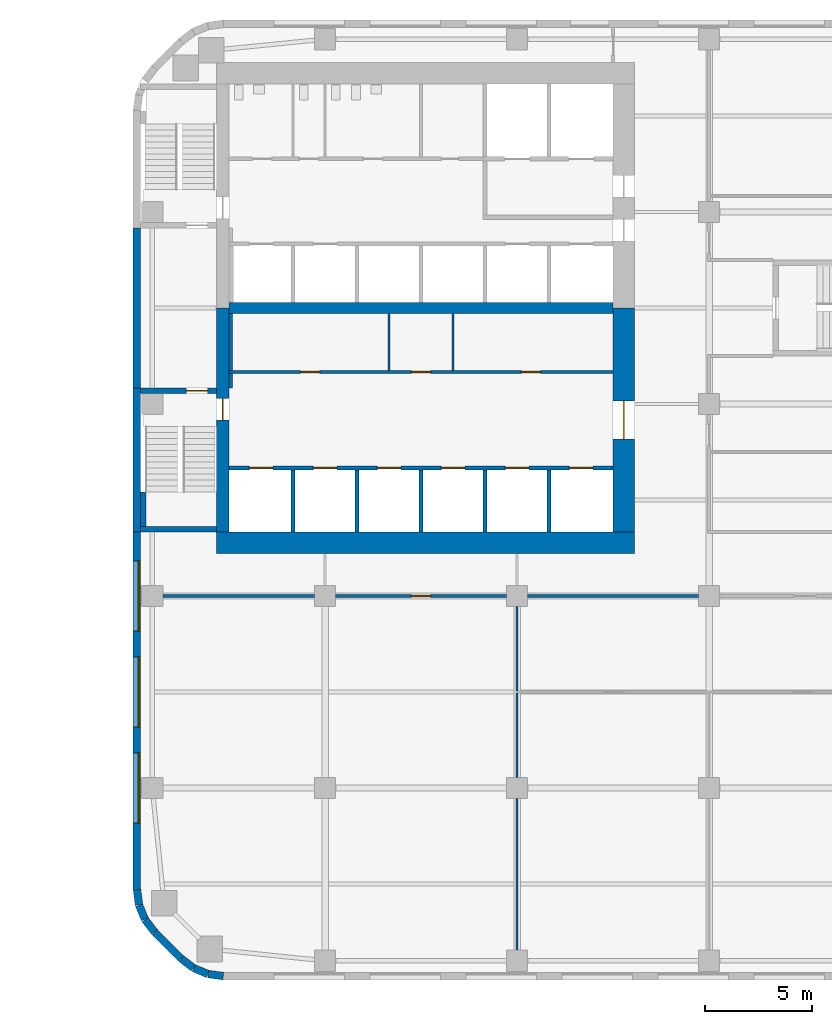
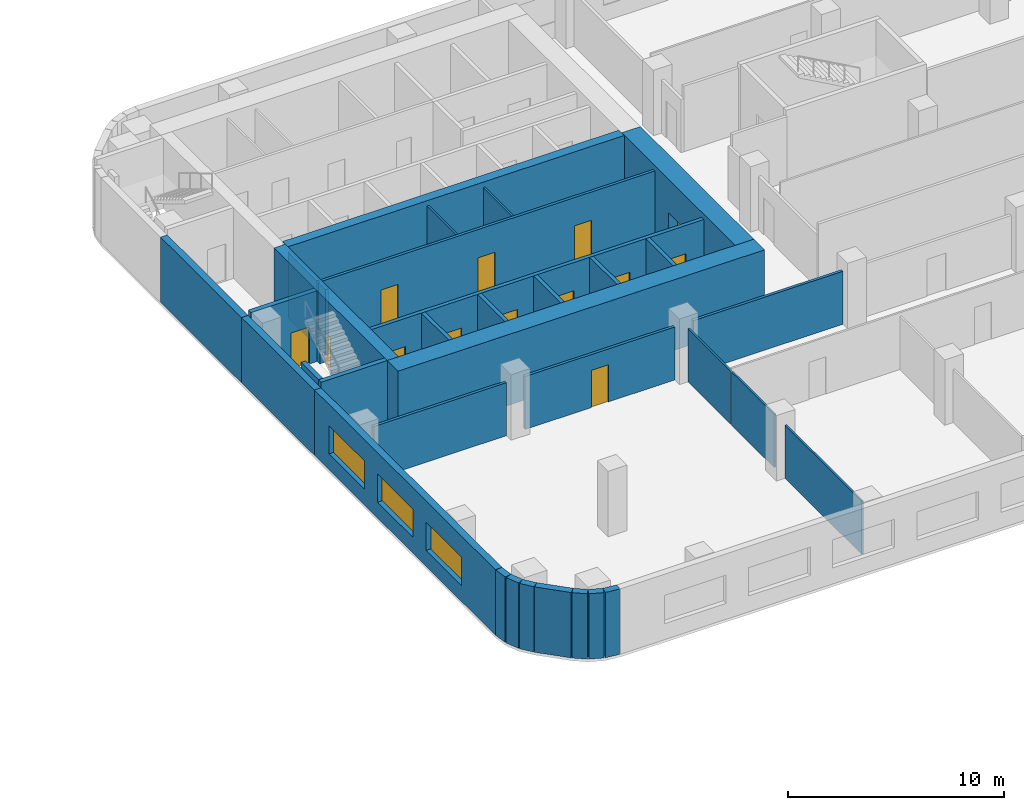
# One storey, part 9 of 16: 34 walls, 13 doors, 3 windows, 16 openings.
"""IFC4 building model written with IfcOpenShell, lengths in metres."""

from ifc_helpers import new_model, si_unit, direction, frame, frame_2d, origin, place, context, subcontext, project, spatial, rectangle, extrude, material, layer, layer_set, type_object, element, fill, save


model = new_model("IFC4")

# Units and contexts
model_context = context("Model", 3, precision=1e-05, world=origin(), true_north=direction((0.0, 1.0)))
body_context = subcontext(model_context, "Body", "Model", "MODEL_VIEW")
ifc_project = project(units=[si_unit("LENGTHUNIT", "METRE"), si_unit("AREAUNIT", "SQUARE_METRE"), si_unit("VOLUMEUNIT", "CUBIC_METRE"), si_unit("PLANEANGLEUNIT", "RADIAN"), si_unit("MASSUNIT", "GRAM", prefix="KILO")], contexts=[model_context])

# Site, building, storey
site_placement = place(None, origin())
site = spatial("IfcSite", under=ifc_project, at=site_placement, CompositionType="ELEMENT")
building_placement = place(site_placement, origin())
building = spatial("IfcBuilding", under=site, at=building_placement, Name="Cinnabar Reach Civic Tower", CompositionType="ELEMENT")
storey_placement = place(building_placement, frame((0.0, 0.0, 42.0)))
storey = spatial("IfcBuildingStorey", under=building, at=storey_placement, Name="L09", CompositionType="ELEMENT", Elevation=42.0)

# Walls
ifc_material_1 = material(Name="Facing brick with insulated backing", Category="masonry")
ifc_layer_1 = layer(ifc_material_1, 0.36)
ifc_layer_set_1 = layer_set([ifc_layer_1], Name="Brick corner wall")
wall_type_1 = type_object("IfcWallType", Name="Brick corner wall", PredefinedType="STANDARD", material=ifc_layer_set_1)
for number, where, z_axis, x_axis, name in (
    (1, (0.183, 4.2314, 0.0), (0.0, 0.0, 1.0), (0.13055608231, -0.99144092581, 0.0), "Brick corner wall"),
    (2, (0.2819, 3.5027, 0.0), (0.0, 0.0, 1.0), (0.382702709855, -0.923871547278, 0.0), "Brick corner wall"),
):
    element("IfcWall", number, at=place(storey_placement, frame(where, z_axis=z_axis, x_axis=x_axis)), inside=storey, type_object=wall_type_1, Name=name, PredefinedType="STANDARD", context=body_context, shape_type="SweptSolid", body=[
        extrude(rectangle(XDim=0.7131, YDim=0.36, at=frame_2d((0.3565, 0.0))), origin(), (0.0, 0.0, 1.0), 3.7),
    ])
for number, where, z_axis, x_axis, name in (
    (3, (0.566, 2.8245, 0.0), (0.0, 0.0, 1.0), (0.608802368033, -0.793321924995, 0.0), "Brick corner wall"),
    (4, (2.2587, 1.0002, 0.0), (0.0, 0.0, 1.0), (0.793321924995, -0.608802368033, 0.0), "Brick corner wall"),
):
    element("IfcWall", number, at=place(storey_placement, frame(where, z_axis=z_axis, x_axis=x_axis)), inside=storey, type_object=wall_type_1, Name=name, PredefinedType="STANDARD", context=body_context, shape_type="SweptSolid", body=[
        extrude(rectangle(XDim=0.7132, YDim=0.36, at=frame_2d((0.3566, 0.0))), origin(), (0.0, 0.0, 1.0), 3.7),
    ])
for number, where, z_axis, x_axis, name in (
    (5, (2.8439, 0.5548, 0.0), (0.0, 0.0, 1.0), (0.923871547278, -0.382702709855, 0.0), "Brick corner wall"),
    (6, (3.5244, 0.2761, 0.0), (0.0, 0.0, 1.0), (0.99144092581, -0.13055608231, 0.0), "Brick corner wall"),
):
    element("IfcWall", number, at=place(storey_placement, frame(where, z_axis=z_axis, x_axis=x_axis)), inside=storey, type_object=wall_type_1, Name=name, PredefinedType="STANDARD", context=body_context, shape_type="SweptSolid", body=[
        extrude(rectangle(XDim=0.7131, YDim=0.36, at=frame_2d((0.3565, 0.0))), origin(), (0.0, 0.0, 1.0), 3.7),
    ])
ifc_layer_2 = layer(ifc_material_1, 0.36)
ifc_layer_set_2 = layer_set([ifc_layer_2], Name="Brick pier and spandrel wall")
wall_type_2 = type_object("IfcWallType", Name="Brick pier and spandrel wall", PredefinedType="STANDARD", material=ifc_layer_set_2)
wall_1_placement = place(storey_placement, frame((0.18, 35.25, 0.0), z_axis=(0.0, 0.0, 1.0), x_axis=(0.0, -1.0, 0.0)))
element("IfcWall", 7, at=wall_1_placement, inside=storey, type_object=wall_type_2, Name="Brick facade wall", PredefinedType="STANDARD", context=body_context, shape_type="SweptSolid", body=[
    extrude(rectangle(XDim=7.5, YDim=0.36, at=frame_2d((3.75, 0.0))), origin(), (0.0, 0.0, 1.0), 3.7),
])
wall_2_placement = place(storey_placement, frame((0.18, 27.75, 0.0), z_axis=(0.0, 0.0, 1.0), x_axis=(0.0, -1.0, 0.0)))
element("IfcWall", 8, at=wall_2_placement, inside=storey, type_object=wall_type_2, Name="Brick facade wall", PredefinedType="STANDARD", context=body_context, shape_type="SweptSolid", body=[
    extrude(rectangle(XDim=6.75, YDim=0.36, at=frame_2d((3.375, 0.0))), origin(), (0.0, 0.0, 1.0), 3.7),
])

# Wall, openings, windows
wall_3_placement = place(storey_placement, frame((0.18, 21.0, 0.0), z_axis=(0.0, 0.0, 1.0), x_axis=(0.0, -1.0, 0.0)))
wall_3 = element("IfcWall", 9, at=wall_3_placement, inside=storey, type_object=wall_type_2, Name="Brick facade wall", PredefinedType="STANDARD", context=body_context, shape_type="SweptSolid", body=[
    extrude(rectangle(XDim=16.7574, YDim=0.36, at=frame_2d((8.3787, 0.0))), origin(), (0.0, 0.0, 1.0), 3.7),
])
opening_1_placement = place(wall_3_placement, frame((1.35, 0.0, 0.9)))
opening_1 = element("IfcOpeningElement", 10, at=opening_1_placement, cuts=wall_3, Name="Opening W1129", PredefinedType="OPENING", context=body_context, shape_type="SweptSolid", body=[
    extrude(rectangle(XDim=3.3, YDim=1.6, at=frame_2d((1.65, 0.8))), frame((0.0, 0.19, 0.0), z_axis=(0.0, -1.0, 0.0), x_axis=(1.0, 0.0, 0.0)), (0.0, 0.0, 1.0), 0.38),
])
opening_2_placement = place(wall_3_placement, frame((5.85, 0.0, 0.9)))
opening_2 = element("IfcOpeningElement", 11, at=opening_2_placement, cuts=wall_3, Name="Opening W1130", PredefinedType="OPENING", context=body_context, shape_type="SweptSolid", body=[
    extrude(rectangle(XDim=3.3, YDim=1.6, at=frame_2d((1.65, 0.8))), frame((0.0, 0.19, 0.0), z_axis=(0.0, -1.0, 0.0), x_axis=(1.0, 0.0, 0.0)), (0.0, 0.0, 1.0), 0.38),
])
opening_3_placement = place(wall_3_placement, frame((10.35, 0.0, 0.9)))
opening_3 = element("IfcOpeningElement", 12, at=opening_3_placement, cuts=wall_3, Name="Opening W1131", PredefinedType="OPENING", context=body_context, shape_type="SweptSolid", body=[
    extrude(rectangle(XDim=3.3, YDim=1.6, at=frame_2d((1.65, 0.8))), frame((0.0, 0.19, 0.0), z_axis=(0.0, -1.0, 0.0), x_axis=(1.0, 0.0, 0.0)), (0.0, 0.0, 1.0), 0.38),
])
ifc_material_2 = material(Name="Clear double glazing in aluminium frame", Category="aluminium")
window_type = type_object("IfcWindowType", Name="Deep-set window A", PartitioningType="SINGLE_PANEL", PredefinedType="WINDOW", material=ifc_material_2)
window_1_placement = place(opening_1_placement, origin())
window_1 = element("IfcWindow", 13, at=window_1_placement, inside=storey, type_object=window_type, Name="Window west face", OverallHeight=1.6, OverallWidth=3.3, PartitioningType="SINGLE_PANEL", PredefinedType="WINDOW", context=body_context, shape_type="SweptSolid", body=[
    extrude(rectangle(XDim=3.3, YDim=1.6, at=frame_2d((1.65, 0.8))), frame((0.0, 0.13, 0.0), z_axis=(0.0, -1.0, 0.0), x_axis=(1.0, 0.0, 0.0)), (0.0, 0.0, 1.0), 0.06),
])
fill(opening_1, window_1)
window_2_placement = place(opening_2_placement, origin())
window_2 = element("IfcWindow", 14, at=window_2_placement, inside=storey, type_object=window_type, Name="Window west face", OverallHeight=1.6, OverallWidth=3.3, PartitioningType="SINGLE_PANEL", PredefinedType="WINDOW", context=body_context, shape_type="SweptSolid", body=[
    extrude(rectangle(XDim=3.3, YDim=1.6, at=frame_2d((1.65, 0.8))), frame((0.0, 0.13, 0.0), z_axis=(0.0, -1.0, 0.0), x_axis=(1.0, 0.0, 0.0)), (0.0, 0.0, 1.0), 0.06),
])
fill(opening_2, window_2)
window_3_placement = place(opening_3_placement, origin())
window_3 = element("IfcWindow", 15, at=window_3_placement, inside=storey, type_object=window_type, Name="Window west face", OverallHeight=1.6, OverallWidth=3.3, PartitioningType="SINGLE_PANEL", PredefinedType="WINDOW", context=body_context, shape_type="SweptSolid", body=[
    extrude(rectangle(XDim=3.3, YDim=1.6, at=frame_2d((1.65, 0.8))), frame((0.0, 0.13, 0.0), z_axis=(0.0, -1.0, 0.0), x_axis=(1.0, 0.0, 0.0)), (0.0, 0.0, 1.0), 0.06),
])
fill(opening_3, window_3)

# Walls
wall_4_placement = place(storey_placement, frame((1.006, 2.2486, 0.0), z_axis=(0.0, 0.0, 1.0), x_axis=(0.707106781187, -0.707106781187, 0.0)))
element("IfcWall", 16, at=wall_4_placement, inside=storey, type_object=wall_type_2, Name="Brick facade wall", PredefinedType="STANDARD", context=body_context, shape_type="SweptSolid", body=[
    extrude(rectangle(XDim=1.7573, YDim=0.36, at=frame_2d((0.8787, 0.0))), origin(), (0.0, 0.0, 1.0), 3.7),
])
ifc_material_3 = material(Name="Concrete C70", Category="concrete")
ifc_layer_3 = layer(ifc_material_3, 1.0)
ifc_layer_set_3 = layer_set([ifc_layer_3], Name="Core wall 1000 EI 180")
wall_type_3 = type_object("IfcWallType", Name="Core wall 1000 EI 180", PredefinedType="SOLIDWALL", material=ifc_layer_set_3)
wall_5_placement = place(storey_placement, frame((3.9, 20.5, 0.0), z_axis=(0.0, 0.0, 1.0), x_axis=(1.0, 0.0, 0.0)))
element("IfcWall", 17, at=wall_5_placement, inside=storey, type_object=wall_type_3, Name="Core wall T1 L09 S", PredefinedType="SOLIDWALL", context=body_context, shape_type="SweptSolid", body=[
    extrude(rectangle(XDim=19.6, YDim=1.0, at=frame_2d((9.8, 0.0))), origin(), (0.0, 0.0, 1.0), 4.0),
])

# Wall, opening, door
wall_6_placement = place(storey_placement, frame((23.0, 21.0, 0.0), z_axis=(0.0, 0.0, 1.0), x_axis=(0.0, 1.0, 0.0)))
wall_6 = element("IfcWall", 18, at=wall_6_placement, inside=storey, type_object=wall_type_3, Name="Core wall T1 L09 E", PredefinedType="SOLIDWALL", context=body_context, shape_type="SweptSolid", body=[
    extrude(rectangle(XDim=10.5, YDim=1.0, at=frame_2d((5.25, 0.0))), origin(), (0.0, 0.0, 1.0), 4.0),
])
opening_4_placement = place(wall_6_placement, frame((4.35, 0.0, 0.0)))
opening_4 = element("IfcOpeningElement", 19, at=opening_4_placement, cuts=wall_6, Name="Opening D3367", PredefinedType="OPENING", context=body_context, shape_type="SweptSolid", body=[
    extrude(rectangle(XDim=1.8, YDim=2.1, at=frame_2d((0.9, 1.05))), frame((0.0, 0.51, 0.0), z_axis=(0.0, -1.0, 0.0), x_axis=(1.0, 0.0, 0.0)), (0.0, 0.0, 1.0), 1.02),
])
ifc_material_4 = material(Name="Timber door leaf in steel frame", Category="steel")
door_type_1 = type_object("IfcDoorType", Name="Double swing door 1800 x 2100 T1", OperationType="DOUBLE_DOOR_DOUBLE_SWING", PredefinedType="DOOR", material=ifc_material_4)
door_1_placement = place(opening_4_placement, origin())
door_1 = element("IfcDoor", 20, at=door_1_placement, inside=storey, type_object=door_type_1, Name="Door D3367", OperationType="DOUBLE_DOOR_DOUBLE_SWING", OverallHeight=2.1, OverallWidth=1.8, PredefinedType="DOOR", context=body_context, shape_type="SweptSolid", body=[
    extrude(rectangle(XDim=1.8, YDim=2.1, at=frame_2d((0.9, 1.05))), frame((0.0, 0.025, 0.0), z_axis=(0.0, -1.0, 0.0), x_axis=(1.0, 0.0, 0.0)), (0.0, 0.0, 1.0), 0.05),
])
fill(opening_4, door_1)

# Wall
ifc_material_5 = material(Name="Concrete C60", Category="concrete")
ifc_layer_4 = layer(ifc_material_5, 0.5)
ifc_layer_set_4 = layer_set([ifc_layer_4], Name="Core wall 500 EI 180")
wall_type_4 = type_object("IfcWallType", Name="Core wall 500 EI 180", PredefinedType="SOLIDWALL", material=ifc_layer_set_4)
wall_7_placement = place(storey_placement, frame((4.5, 31.5, 0.0), z_axis=(0.0, 0.0, 1.0), x_axis=(1.0, 0.0, 0.0)))
element("IfcWall", 21, at=wall_7_placement, inside=storey, type_object=wall_type_4, Name="Core spine wall T1 L09", PredefinedType="SOLIDWALL", context=body_context, shape_type="SweptSolid", body=[
    extrude(rectangle(XDim=18.0, YDim=0.5, at=frame_2d((9.0, 0.0))), origin(), (0.0, 0.0, 1.0), 4.0),
])

# Wall, opening, door
ifc_layer_5 = layer(ifc_material_3, 0.6)
ifc_layer_set_5 = layer_set([ifc_layer_5], Name="Core wall 600 EI 180")
wall_type_5 = type_object("IfcWallType", Name="Core wall 600 EI 180", PredefinedType="SOLIDWALL", material=ifc_layer_set_5)
wall_8_placement = place(storey_placement, frame((4.2, 31.5, 0.0), z_axis=(0.0, 0.0, 1.0), x_axis=(0.0, -1.0, 0.0)))
wall_8 = element("IfcWall", 22, at=wall_8_placement, inside=storey, type_object=wall_type_5, Name="Core wall T1 L09 W2", PredefinedType="SOLIDWALL", context=body_context, shape_type="SweptSolid", body=[
    extrude(rectangle(XDim=10.5, YDim=0.6, at=frame_2d((5.25, 0.0))), origin(), (0.0, 0.0, 1.0), 4.0),
])
opening_5_placement = place(wall_8_placement, frame((4.25, 0.0, 0.0)))
opening_5 = element("IfcOpeningElement", 23, at=opening_5_placement, cuts=wall_8, Name="Opening D3351", PredefinedType="OPENING", context=body_context, shape_type="SweptSolid", body=[
    extrude(rectangle(XDim=1.0, YDim=2.1, at=frame_2d((0.5, 1.05))), frame((0.0, 0.31, 0.0), z_axis=(0.0, -1.0, 0.0), x_axis=(1.0, 0.0, 0.0)), (0.0, 0.0, 1.0), 0.62),
])
door_type_2 = type_object("IfcDoorType", Name="Stair door 1000 x 2100 T1", OperationType="SINGLE_SWING_LEFT", PredefinedType="DOOR", material=ifc_material_4)
door_2_placement = place(opening_5_placement, frame((1.0, 0.0, 0.0), z_axis=(0.0, 0.0, 1.0), x_axis=(-1.0, 0.0, 0.0)))
door_2 = element("IfcDoor", 24, at=door_2_placement, inside=storey, type_object=door_type_2, Name="Door D3351", OperationType="SINGLE_SWING_RIGHT", OverallHeight=2.1, OverallWidth=1.0, PredefinedType="DOOR", context=body_context, shape_type="SweptSolid", body=[
    extrude(rectangle(XDim=1.0, YDim=2.1, at=frame_2d((0.5, 1.05))), frame((0.0, 0.025, 0.0), z_axis=(0.0, -1.0, 0.0), x_axis=(1.0, 0.0, 0.0)), (0.0, 0.0, 1.0), 0.05),
])
fill(opening_5, door_2)

# Wall
ifc_material_6 = material(Name="Gypsum board on steel studs, double layer", Category="steel")
ifc_layer_6 = layer(ifc_material_6, 0.15)
ifc_layer_set_6 = layer_set([ifc_layer_6], Name="Corridor wall 150 T1")
wall_type_6 = type_object("IfcWallType", Name="Corridor wall 150 T1", PredefinedType="PARTITIONING", material=ifc_layer_set_6)
wall_9_placement = place(storey_placement, frame((18.5, 18.0, 0.0), z_axis=(0.0, 0.0, 1.0), x_axis=(1.0, 0.0, 0.0)))
element("IfcWall", 25, at=wall_9_placement, inside=storey, type_object=wall_type_6, Name="Corridor wall 23", PredefinedType="PARTITIONING", context=body_context, shape_type="SweptSolid", body=[
    extrude(rectangle(XDim=8.0, YDim=0.15, at=frame_2d((4.0, 0.0))), origin(), (0.0, 0.0, 1.0), 3.0),
])

# Wall, opening, door
wall_10_placement = place(storey_placement, frame((9.5, 18.0, 0.0), z_axis=(0.0, 0.0, 1.0), x_axis=(1.0, 0.0, 0.0)))
wall_10 = element("IfcWall", 26, at=wall_10_placement, inside=storey, type_object=wall_type_6, Name="Corridor wall 24", PredefinedType="PARTITIONING", context=body_context, shape_type="SweptSolid", body=[
    extrude(rectangle(XDim=8.0, YDim=0.15, at=frame_2d((4.0, 0.0))), origin(), (0.0, 0.0, 1.0), 3.0),
])
opening_6_placement = place(wall_10_placement, frame((3.55, 0.0, 0.0)))
opening_6 = element("IfcOpeningElement", 27, at=opening_6_placement, cuts=wall_10, Name="Opening D3383", PredefinedType="OPENING", context=body_context, shape_type="SweptSolid", body=[
    extrude(rectangle(XDim=0.9, YDim=2.1, at=frame_2d((0.45, 1.05))), frame((0.0, 0.085, 0.0), z_axis=(0.0, -1.0, 0.0), x_axis=(1.0, 0.0, 0.0)), (0.0, 0.0, 1.0), 0.17),
])
door_type_3 = type_object("IfcDoorType", Name="Single swing door 900 x 2100 corridor T1", OperationType="SINGLE_SWING_LEFT", PredefinedType="DOOR", material=ifc_material_4)
door_3_placement = place(opening_6_placement, frame((0.9, 0.0, 0.0), z_axis=(0.0, 0.0, 1.0), x_axis=(-1.0, 0.0, 0.0)))
door_3 = element("IfcDoor", 28, at=door_3_placement, inside=storey, type_object=door_type_3, Name="Door D3383", OperationType="SINGLE_SWING_RIGHT", OverallHeight=2.1, OverallWidth=0.9, PredefinedType="DOOR", context=body_context, shape_type="SweptSolid", body=[
    extrude(rectangle(XDim=0.9, YDim=2.1, at=frame_2d((0.45, 1.05))), frame((0.0, 0.025, 0.0), z_axis=(0.0, -1.0, 0.0), x_axis=(1.0, 0.0, 0.0)), (0.0, 0.0, 1.0), 0.05),
])
fill(opening_6, door_3)

# Wall
wall_11_placement = place(storey_placement, frame((1.4, 18.0, 0.0), z_axis=(0.0, 0.0, 1.0), x_axis=(1.0, 0.0, 0.0)))
element("IfcWall", 29, at=wall_11_placement, inside=storey, type_object=wall_type_6, Name="Corridor wall 25", PredefinedType="PARTITIONING", context=body_context, shape_type="SweptSolid", body=[
    extrude(rectangle(XDim=7.1, YDim=0.15, at=frame_2d((3.55, 0.0))), origin(), (0.0, 0.0, 1.0), 3.0),
])

# Wall, openings, doors
wall_12_placement = place(storey_placement, frame((4.5, 28.5, 0.0), z_axis=(0.0, 0.0, 1.0), x_axis=(1.0, 0.0, 0.0)))
wall_12 = element("IfcWall", 30, at=wall_12_placement, inside=storey, type_object=wall_type_6, Name="Corridor wall 27", PredefinedType="PARTITIONING", context=body_context, shape_type="SweptSolid", body=[
    extrude(rectangle(XDim=18.0, YDim=0.15, at=frame_2d((9.0, 0.0))), origin(), (0.0, 0.0, 1.0), 3.7),
])
opening_7_placement = place(wall_12_placement, frame((3.35, 0.0, 0.0)))
opening_7 = element("IfcOpeningElement", 31, at=opening_7_placement, cuts=wall_12, Name="Opening D3371", PredefinedType="OPENING", context=body_context, shape_type="SweptSolid", body=[
    extrude(rectangle(XDim=0.9, YDim=2.1, at=frame_2d((0.45, 1.05))), frame((0.0, 0.085, 0.0), z_axis=(0.0, -1.0, 0.0), x_axis=(1.0, 0.0, 0.0)), (0.0, 0.0, 1.0), 0.17),
])
opening_8_placement = place(wall_12_placement, frame((8.55, 0.0, 0.0)))
opening_8 = element("IfcOpeningElement", 32, at=opening_8_placement, cuts=wall_12, Name="Opening D3372", PredefinedType="OPENING", context=body_context, shape_type="SweptSolid", body=[
    extrude(rectangle(XDim=0.9, YDim=2.1, at=frame_2d((0.45, 1.05))), frame((0.0, 0.085, 0.0), z_axis=(0.0, -1.0, 0.0), x_axis=(1.0, 0.0, 0.0)), (0.0, 0.0, 1.0), 0.17),
])
opening_9_placement = place(wall_12_placement, frame((13.7, 0.0, 0.0)))
opening_9 = element("IfcOpeningElement", 33, at=opening_9_placement, cuts=wall_12, Name="Opening D3373", PredefinedType="OPENING", context=body_context, shape_type="SweptSolid", body=[
    extrude(rectangle(XDim=0.9, YDim=2.1, at=frame_2d((0.45, 1.05))), frame((0.0, 0.085, 0.0), z_axis=(0.0, -1.0, 0.0), x_axis=(1.0, 0.0, 0.0)), (0.0, 0.0, 1.0), 0.17),
])
door_4_placement = place(opening_7_placement, origin())
door_4 = element("IfcDoor", 34, at=door_4_placement, inside=storey, type_object=door_type_3, Name="Door D3371", OperationType="SINGLE_SWING_LEFT", OverallHeight=2.1, OverallWidth=0.9, PredefinedType="DOOR", context=body_context, shape_type="SweptSolid", body=[
    extrude(rectangle(XDim=0.9, YDim=2.1, at=frame_2d((0.45, 1.05))), frame((0.0, 0.025, 0.0), z_axis=(0.0, -1.0, 0.0), x_axis=(1.0, 0.0, 0.0)), (0.0, 0.0, 1.0), 0.05),
])
fill(opening_7, door_4)
door_5_placement = place(opening_8_placement, origin())
door_5 = element("IfcDoor", 35, at=door_5_placement, inside=storey, type_object=door_type_3, Name="Door D3372", OperationType="SINGLE_SWING_LEFT", OverallHeight=2.1, OverallWidth=0.9, PredefinedType="DOOR", context=body_context, shape_type="SweptSolid", body=[
    extrude(rectangle(XDim=0.9, YDim=2.1, at=frame_2d((0.45, 1.05))), frame((0.0, 0.025, 0.0), z_axis=(0.0, -1.0, 0.0), x_axis=(1.0, 0.0, 0.0)), (0.0, 0.0, 1.0), 0.05),
])
fill(opening_8, door_5)
door_6_placement = place(opening_9_placement, origin())
door_6 = element("IfcDoor", 36, at=door_6_placement, inside=storey, type_object=door_type_3, Name="Door D3373", OperationType="SINGLE_SWING_RIGHT", OverallHeight=2.1, OverallWidth=0.9, PredefinedType="DOOR", context=body_context, shape_type="SweptSolid", body=[
    extrude(rectangle(XDim=0.9, YDim=2.1, at=frame_2d((0.45, 1.05))), frame((0.0, 0.025, 0.0), z_axis=(0.0, -1.0, 0.0), x_axis=(1.0, 0.0, 0.0)), (0.0, 0.0, 1.0), 0.05),
])
fill(opening_9, door_6)

# Walls
wall_13_placement = place(storey_placement, frame((4.575, 27.75, 0.0), z_axis=(0.0, 0.0, 1.0), x_axis=(0.0, 1.0, 0.0)))
element("IfcWall", 37, at=wall_13_placement, inside=storey, type_object=wall_type_6, Name="Corridor wall 33", PredefinedType="PARTITIONING", context=body_context, shape_type="SweptSolid", body=[
    extrude(rectangle(XDim=0.675, YDim=0.15, at=frame_2d((0.3375, 0.0))), origin(), (0.0, 0.0, 1.0), 3.7),
])
wall_14_placement = place(storey_placement, frame((4.575, 28.575, 0.0), z_axis=(0.0, 0.0, 1.0), x_axis=(0.0, 1.0, 0.0)))
element("IfcWall", 38, at=wall_14_placement, inside=storey, type_object=wall_type_6, Name="Corridor wall 34", PredefinedType="PARTITIONING", context=body_context, shape_type="SweptSolid", body=[
    extrude(rectangle(XDim=2.675, YDim=0.15, at=frame_2d((1.3375, 0.0))), origin(), (0.0, 0.0, 1.0), 3.7),
])

# Wall, openings, doors
ifc_material_7 = material(Name="Blockwork", Category="masonry")
ifc_layer_7 = layer(ifc_material_7, 0.2)
ifc_layer_set_7 = layer_set([ifc_layer_7], Name="Lift shaft wall 200 T1")
wall_type_7 = type_object("IfcWallType", Name="Lift shaft wall 200 T1", PredefinedType="PARTITIONING", material=ifc_layer_set_7)
wall_15_placement = place(storey_placement, frame((4.5, 24.0, 0.0), z_axis=(0.0, 0.0, 1.0), x_axis=(1.0, 0.0, 0.0)))
wall_15 = element("IfcWall", 39, at=wall_15_placement, inside=storey, type_object=wall_type_7, Name="Lift shaft wall 4", PredefinedType="PARTITIONING", context=body_context, shape_type="SweptSolid", body=[
    extrude(rectangle(XDim=18.0, YDim=0.2, at=frame_2d((9.0, 0.0))), origin(), (0.0, 0.0, 1.0), 3.7),
])
opening_10_placement = place(wall_15_placement, frame((0.95, 0.0, 0.0)))
opening_10 = element("IfcOpeningElement", 40, at=opening_10_placement, cuts=wall_15, Name="Opening D3355", PredefinedType="OPENING", context=body_context, shape_type="SweptSolid", body=[
    extrude(rectangle(XDim=1.1, YDim=2.1, at=frame_2d((0.55, 1.05))), frame((0.0, 0.11, 0.0), z_axis=(0.0, -1.0, 0.0), x_axis=(1.0, 0.0, 0.0)), (0.0, 0.0, 1.0), 0.22),
])
opening_11_placement = place(wall_15_placement, frame((3.95, 0.0, 0.0)))
opening_11 = element("IfcOpeningElement", 41, at=opening_11_placement, cuts=wall_15, Name="Opening D3356", PredefinedType="OPENING", context=body_context, shape_type="SweptSolid", body=[
    extrude(rectangle(XDim=1.1, YDim=2.1, at=frame_2d((0.55, 1.05))), frame((0.0, 0.11, 0.0), z_axis=(0.0, -1.0, 0.0), x_axis=(1.0, 0.0, 0.0)), (0.0, 0.0, 1.0), 0.22),
])
opening_12_placement = place(wall_15_placement, frame((6.95, 0.0, 0.0)))
opening_12 = element("IfcOpeningElement", 42, at=opening_12_placement, cuts=wall_15, Name="Opening D3357", PredefinedType="OPENING", context=body_context, shape_type="SweptSolid", body=[
    extrude(rectangle(XDim=1.1, YDim=2.1, at=frame_2d((0.55, 1.05))), frame((0.0, 0.11, 0.0), z_axis=(0.0, -1.0, 0.0), x_axis=(1.0, 0.0, 0.0)), (0.0, 0.0, 1.0), 0.22),
])
opening_13_placement = place(wall_15_placement, frame((9.95, 0.0, 0.0)))
opening_13 = element("IfcOpeningElement", 43, at=opening_13_placement, cuts=wall_15, Name="Opening D3358", PredefinedType="OPENING", context=body_context, shape_type="SweptSolid", body=[
    extrude(rectangle(XDim=1.1, YDim=2.1, at=frame_2d((0.55, 1.05))), frame((0.0, 0.11, 0.0), z_axis=(0.0, -1.0, 0.0), x_axis=(1.0, 0.0, 0.0)), (0.0, 0.0, 1.0), 0.22),
])
opening_14_placement = place(wall_15_placement, frame((12.95, 0.0, 0.0)))
opening_14 = element("IfcOpeningElement", 44, at=opening_14_placement, cuts=wall_15, Name="Opening D3359", PredefinedType="OPENING", context=body_context, shape_type="SweptSolid", body=[
    extrude(rectangle(XDim=1.1, YDim=2.1, at=frame_2d((0.55, 1.05))), frame((0.0, 0.11, 0.0), z_axis=(0.0, -1.0, 0.0), x_axis=(1.0, 0.0, 0.0)), (0.0, 0.0, 1.0), 0.22),
])
opening_15_placement = place(wall_15_placement, frame((15.95, 0.0, 0.0)))
opening_15 = element("IfcOpeningElement", 45, at=opening_15_placement, cuts=wall_15, Name="Opening D3360", PredefinedType="OPENING", context=body_context, shape_type="SweptSolid", body=[
    extrude(rectangle(XDim=1.1, YDim=2.1, at=frame_2d((0.55, 1.05))), frame((0.0, 0.11, 0.0), z_axis=(0.0, -1.0, 0.0), x_axis=(1.0, 0.0, 0.0)), (0.0, 0.0, 1.0), 0.22),
])
ifc_material_8 = material(Name="Stainless steel sliding door", Category="steel")
door_type_4 = type_object("IfcDoorType", Name="Lift landing door 1100 x 2100 T1", OperationType="SLIDING_TO_LEFT", PredefinedType="DOOR", material=ifc_material_8)
door_7_placement = place(opening_10_placement, origin())
door_7 = element("IfcDoor", 46, at=door_7_placement, inside=storey, type_object=door_type_4, Name="Lift landing door LR1 L09", OperationType="SLIDING_TO_LEFT", OverallHeight=2.1, OverallWidth=1.1, PredefinedType="DOOR", context=body_context, shape_type="SweptSolid", body=[
    extrude(rectangle(XDim=1.1, YDim=2.1, at=frame_2d((0.55, 1.05))), frame((0.0, 0.025, 0.0), z_axis=(0.0, -1.0, 0.0), x_axis=(1.0, 0.0, 0.0)), (0.0, 0.0, 1.0), 0.05),
])
fill(opening_10, door_7)
door_8_placement = place(opening_11_placement, origin())
door_8 = element("IfcDoor", 47, at=door_8_placement, inside=storey, type_object=door_type_4, Name="Lift landing door LR2 L09", OperationType="SLIDING_TO_LEFT", OverallHeight=2.1, OverallWidth=1.1, PredefinedType="DOOR", context=body_context, shape_type="SweptSolid", body=[
    extrude(rectangle(XDim=1.1, YDim=2.1, at=frame_2d((0.55, 1.05))), frame((0.0, 0.025, 0.0), z_axis=(0.0, -1.0, 0.0), x_axis=(1.0, 0.0, 0.0)), (0.0, 0.0, 1.0), 0.05),
])
fill(opening_11, door_8)
door_9_placement = place(opening_12_placement, origin())
door_9 = element("IfcDoor", 48, at=door_9_placement, inside=storey, type_object=door_type_4, Name="Lift landing door LR3 L09", OperationType="SLIDING_TO_LEFT", OverallHeight=2.1, OverallWidth=1.1, PredefinedType="DOOR", context=body_context, shape_type="SweptSolid", body=[
    extrude(rectangle(XDim=1.1, YDim=2.1, at=frame_2d((0.55, 1.05))), frame((0.0, 0.025, 0.0), z_axis=(0.0, -1.0, 0.0), x_axis=(1.0, 0.0, 0.0)), (0.0, 0.0, 1.0), 0.05),
])
fill(opening_12, door_9)
door_10_placement = place(opening_13_placement, origin())
door_10 = element("IfcDoor", 49, at=door_10_placement, inside=storey, type_object=door_type_4, Name="Lift landing door LR4 L09", OperationType="SLIDING_TO_LEFT", OverallHeight=2.1, OverallWidth=1.1, PredefinedType="DOOR", context=body_context, shape_type="SweptSolid", body=[
    extrude(rectangle(XDim=1.1, YDim=2.1, at=frame_2d((0.55, 1.05))), frame((0.0, 0.025, 0.0), z_axis=(0.0, -1.0, 0.0), x_axis=(1.0, 0.0, 0.0)), (0.0, 0.0, 1.0), 0.05),
])
fill(opening_13, door_10)
door_11_placement = place(opening_14_placement, origin())
door_11 = element("IfcDoor", 50, at=door_11_placement, inside=storey, type_object=door_type_4, Name="Lift landing door LR5 L09", OperationType="SLIDING_TO_LEFT", OverallHeight=2.1, OverallWidth=1.1, PredefinedType="DOOR", context=body_context, shape_type="SweptSolid", body=[
    extrude(rectangle(XDim=1.1, YDim=2.1, at=frame_2d((0.55, 1.05))), frame((0.0, 0.025, 0.0), z_axis=(0.0, -1.0, 0.0), x_axis=(1.0, 0.0, 0.0)), (0.0, 0.0, 1.0), 0.05),
])
fill(opening_14, door_11)
door_12_placement = place(opening_15_placement, origin())
door_12 = element("IfcDoor", 51, at=door_12_placement, inside=storey, type_object=door_type_4, Name="Lift landing door LR6 L09", OperationType="SLIDING_TO_LEFT", OverallHeight=2.1, OverallWidth=1.1, PredefinedType="DOOR", context=body_context, shape_type="SweptSolid", body=[
    extrude(rectangle(XDim=1.1, YDim=2.1, at=frame_2d((0.55, 1.05))), frame((0.0, 0.025, 0.0), z_axis=(0.0, -1.0, 0.0), x_axis=(1.0, 0.0, 0.0)), (0.0, 0.0, 1.0), 0.05),
])
fill(opening_15, door_12)

# Walls
for number, where, z_axis, x_axis, name in (
    (52, (7.5, 21.0, 0.0), (0.0, 0.0, 1.0), (0.0, 1.0, 0.0), "Lift shaft wall 9"),
    (53, (10.5, 21.0, 0.0), (0.0, 0.0, 1.0), (0.0, 1.0, 0.0), "Lift shaft wall 11"),
    (54, (13.5, 21.0, 0.0), (0.0, 0.0, 1.0), (0.0, 1.0, 0.0), "Lift shaft wall 13"),
    (55, (16.5, 21.0, 0.0), (0.0, 0.0, 1.0), (0.0, 1.0, 0.0), "Lift shaft wall 15"),
    (56, (19.5, 21.0, 0.0), (0.0, 0.0, 1.0), (0.0, 1.0, 0.0), "Lift shaft wall 17"),
):
    element("IfcWall", number, at=place(storey_placement, frame(where, z_axis=z_axis, x_axis=x_axis)), inside=storey, type_object=wall_type_7, Name=name, PredefinedType="PARTITIONING", context=body_context, shape_type="SweptSolid", body=[
        extrude(rectangle(XDim=2.9, YDim=0.2, at=frame_2d((1.45, 0.0))), origin(), (0.0, 0.0, 1.0), 3.7),
    ])
ifc_material_9 = material(Name="Gypsum board on steel studs", Category="steel")
ifc_layer_8 = layer(ifc_material_9, 0.1)
ifc_layer_set_8 = layer_set([ifc_layer_8], Name="Partition wall 100 T1")
wall_type_8 = type_object("IfcWallType", Name="Partition wall 100 T1", PredefinedType="PARTITIONING", material=ifc_layer_set_8)
wall_16_placement = place(storey_placement, frame((18.0, 1.4, 0.0), z_axis=(0.0, 0.0, 1.0), x_axis=(0.0, 1.0, 0.0)))
element("IfcWall", 57, at=wall_16_placement, inside=storey, type_object=wall_type_8, Name="Partition wall 47", PredefinedType="PARTITIONING", context=body_context, shape_type="SweptSolid", body=[
    extrude(rectangle(XDim=7.1, YDim=0.1, at=frame_2d((3.55, 0.0))), origin(), (0.0, 0.0, 1.0), 3.008),
])
for number, where, z_axis, x_axis, name in (
    (58, (18.0, 13.55, 0.0), (0.0, 0.0, 1.0), (0.0, 1.0, 0.0), "Partition wall 48"),
    (59, (18.0, 9.5, 0.0), (0.0, 0.0, 1.0), (0.0, 1.0, 0.0), "Partition wall 49"),
):
    element("IfcWall", number, at=place(storey_placement, frame(where, z_axis=z_axis, x_axis=x_axis)), inside=storey, type_object=wall_type_8, Name=name, PredefinedType="PARTITIONING", context=body_context, shape_type="SweptSolid", body=[
        extrude(rectangle(XDim=3.95, YDim=0.1, at=frame_2d((1.975, 0.0))), origin(), (0.0, 0.0, 1.0), 3.008),
    ])
for number, where, z_axis, x_axis, name in (
    (60, (12.0, 28.575, 0.0), (0.0, 0.0, 1.0), (0.0, 1.0, 0.0), "Partition wall 61"),
    (61, (15.0, 28.575, 0.0), (0.0, 0.0, 1.0), (0.0, 1.0, 0.0), "Partition wall 62"),
):
    element("IfcWall", number, at=place(storey_placement, frame(where, z_axis=z_axis, x_axis=x_axis)), inside=storey, type_object=wall_type_8, Name=name, PredefinedType="PARTITIONING", context=body_context, shape_type="SweptSolid", body=[
        extrude(rectangle(XDim=2.675, YDim=0.1, at=frame_2d((1.3375, 0.0))), origin(), (0.0, 0.0, 1.0), 3.7),
    ])
ifc_layer_9 = layer(ifc_material_5, 0.25)
ifc_layer_set_9 = layer_set([ifc_layer_9], Name="Stair shaft wall 250 EI 120")
wall_type_9 = type_object("IfcWallType", Name="Stair shaft wall 250 EI 120", PredefinedType="SOLIDWALL", material=ifc_layer_set_9)
wall_17_placement = place(storey_placement, frame((0.36, 21.125, 0.0), z_axis=(0.0, 0.0, 1.0), x_axis=(1.0, 0.0, 0.0)))
element("IfcWall", 62, at=wall_17_placement, inside=storey, type_object=wall_type_9, Name="Stair shaft wall T1-S1 L09", PredefinedType="SOLIDWALL", context=body_context, shape_type="SweptSolid", body=[
    extrude(rectangle(XDim=3.54, YDim=0.25, at=frame_2d((1.77, 0.0))), origin(), (0.0, 0.0, 1.0), 4.0),
])

# Wall, opening, door
wall_18_placement = place(storey_placement, frame((3.9, 27.625, 0.0), z_axis=(0.0, 0.0, 1.0), x_axis=(-1.0, 0.0, 0.0)))
wall_18 = element("IfcWall", 63, at=wall_18_placement, inside=storey, type_object=wall_type_9, Name="Stair shaft wall T1-S1 L09", PredefinedType="SOLIDWALL", context=body_context, shape_type="SweptSolid", body=[
    extrude(rectangle(XDim=3.54, YDim=0.25, at=frame_2d((1.77, 0.0))), origin(), (0.0, 0.0, 1.0), 4.0),
])
opening_16_placement = place(wall_18_placement, frame((0.4, 0.0, 0.0)))
opening_16 = element("IfcOpeningElement", 64, at=opening_16_placement, cuts=wall_18, Name="Opening D3352", PredefinedType="OPENING", context=body_context, shape_type="SweptSolid", body=[
    extrude(rectangle(XDim=1.0, YDim=2.1, at=frame_2d((0.5, 1.05))), frame((0.0, 0.135, 0.0), z_axis=(0.0, -1.0, 0.0), x_axis=(1.0, 0.0, 0.0)), (0.0, 0.0, 1.0), 0.27),
])
door_13_placement = place(opening_16_placement, origin())
door_13 = element("IfcDoor", 65, at=door_13_placement, inside=storey, type_object=door_type_2, Name="Door D3352", OperationType="SINGLE_SWING_LEFT", OverallHeight=2.1, OverallWidth=1.0, PredefinedType="DOOR", context=body_context, shape_type="SweptSolid", body=[
    extrude(rectangle(XDim=1.0, YDim=2.1, at=frame_2d((0.5, 1.05))), frame((0.0, 0.025, 0.0), z_axis=(0.0, -1.0, 0.0), x_axis=(1.0, 0.0, 0.0)), (0.0, 0.0, 1.0), 0.05),
])
fill(opening_16, door_13)

# Wall
ifc_material_10 = material(Name="Concrete C40/50", Category="concrete")
ifc_layer_10 = layer(ifc_material_10, 0.24)
ifc_layer_set_10 = layer_set([ifc_layer_10], Name="T1 landing bearer wall 240")
wall_type_10 = type_object("IfcWallType", Name="T1 landing bearer wall 240", PredefinedType="STANDARD", material=ifc_layer_set_10)
wall_19_placement = place(storey_placement, frame((0.48, 21.25, 0.0), z_axis=(0.0, 0.0, 1.0), x_axis=(0.0, 1.0, 0.0)))
element("IfcWall", 66, at=wall_19_placement, inside=storey, type_object=wall_type_10, Name="T1-S1 landing bearer wall", PredefinedType="STANDARD", context=body_context, shape_type="SweptSolid", body=[
    extrude(rectangle(XDim=1.62, YDim=0.24, at=frame_2d((0.81, 0.0))), origin(), (0.0, 0.0, 1.0), 4.0),
])

save(model, "model.ifc")
